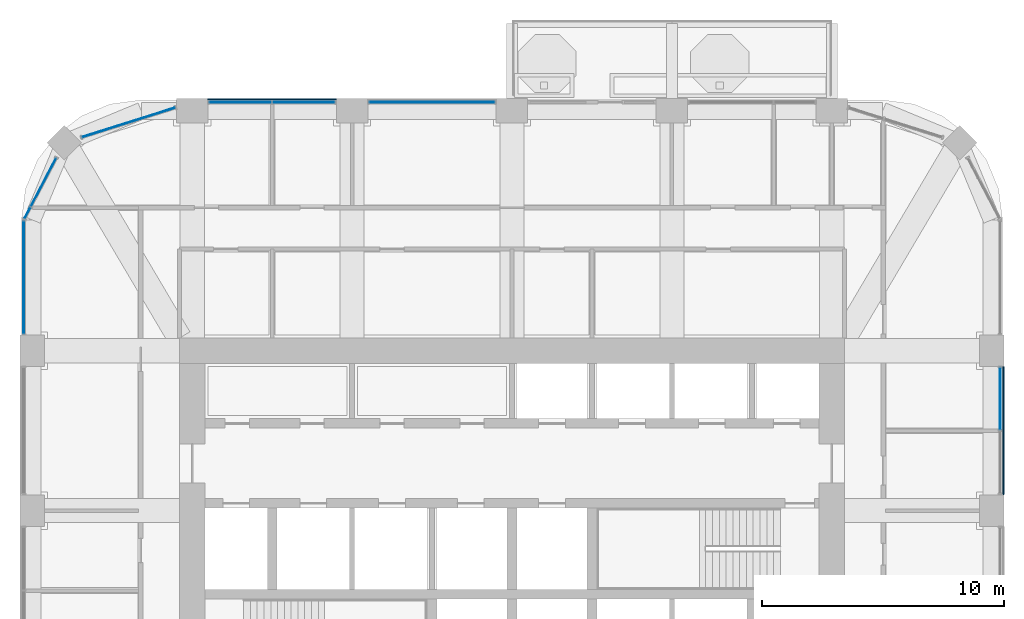
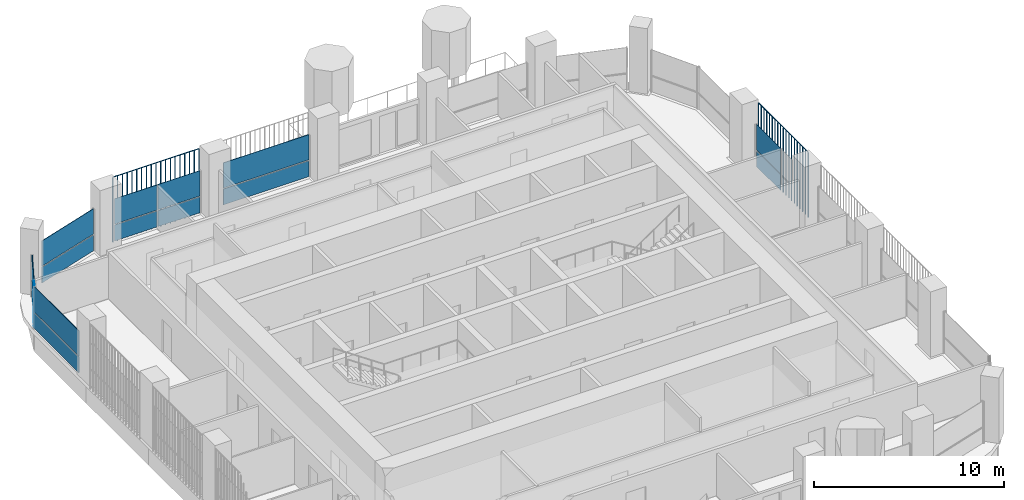
# One storey, part 12 of 21: 18 plates, 6 elements without a shape of their own.
"""IFC4 building model written with IfcOpenShell, lengths in metres."""

from ifc_helpers import new_model, si_unit, direction, frame, origin, origin_2d, place, context, subcontext, project, spatial, polyline, rectangle, outline, extrude, material, layer, layer_set, type_object, element, aggregate, save


model = new_model("IFC4")

# Units and contexts
model_context = context("Model", 3, precision=1e-05, world=origin(), true_north=direction((0.0, 1.0)))
body_context = subcontext(model_context, "Body", "Model", "MODEL_VIEW")
ifc_project = project(units=[si_unit("LENGTHUNIT", "METRE"), si_unit("AREAUNIT", "SQUARE_METRE"), si_unit("VOLUMEUNIT", "CUBIC_METRE"), si_unit("PLANEANGLEUNIT", "RADIAN"), si_unit("MASSUNIT", "GRAM", prefix="KILO")], contexts=[model_context])

# Site, building, storey
site_placement = place(None, origin())
site = spatial("IfcSite", under=ifc_project, at=site_placement, CompositionType="ELEMENT")
building_placement = place(site_placement, origin())
building = spatial("IfcBuilding", under=site, at=building_placement, Name="Cobogo Forest Laboratory Tower", CompositionType="ELEMENT")
storey_placement = place(building_placement, frame((0.0, 0.0, 250.199951171875)))
storey = spatial("IfcBuildingStorey", under=building, at=storey_placement, Name="L57", CompositionType="ELEMENT", Elevation=250.199951171875)

# Curtain wall, plates
ifc_material_1 = material(Name="Aluminium curtain wall", Category="aluminium")
curtain_wall_type = type_object("IfcCurtainWallType", Name="CW-2 unitised curtain wall, solar control glazing, laboratory floors zones C and D", PredefinedType="USERDEFINED", material=ifc_material_1)
curtain_wall_1_placement = place(storey_placement, origin())
curtain_wall_1 = element("IfcCurtainWall", 1, at=curtain_wall_1_placement, inside=storey, type_object=curtain_wall_type, Name="Curtain wall 10 L57", ObjectType="UNITISED CURTAIN WALL", PredefinedType="USERDEFINED")
ifc_material_2 = material(Name="Solar control insulated glass", Category="glass")
ifc_layer = layer(ifc_material_2, 0.031982421875)
ifc_layer_set = layer_set([ifc_layer], Name="GP-2 solar control glass unit 32")
plate_type_1 = type_object("IfcPlateType", Name="GP-2 solar control glass unit 32", PredefinedType="CURTAIN_PANEL", material=ifc_layer_set)
plate_1_placement = place(storey_placement, frame((46.550048828125, 31.010009765625, 0.0), z_axis=(0.0, 0.0, 1.0), x_axis=(0.0, 1.0, 0.0)))
plate_1 = element("IfcPlate", 2, at=plate_1_placement, type_object=plate_type_1, Name="CW-2 panel 2.1", PredefinedType="CURTAIN_PANEL", context=body_context, shape_type="SweptSolid", body=[
    extrude(rectangle(XDim=2.56005859375, YDim=0.031982421875, at=origin_2d()), origin(), (0.0, 0.0, 1.0), 1.02001953125),
])
plate_2_placement = place(storey_placement, frame((46.550048828125, 31.010009765625, 1.080078125), z_axis=(0.0, 0.0, 1.0), x_axis=(0.0, 1.0, 0.0)))
plate_2 = element("IfcPlate", 3, at=plate_2_placement, type_object=plate_type_1, Name="CW-2 panel 2.2", PredefinedType="CURTAIN_PANEL", context=body_context, shape_type="SweptSolid", body=[
    extrude(rectangle(XDim=2.56005859375, YDim=0.031982421875, at=origin_2d()), origin(), (0.0, 0.0, 1.0), 1.6201171875),
])
aggregate(curtain_wall_1, [plate_1, plate_2])

curtain_wall_2_placement = place(storey_placement, origin())
curtain_wall_2 = element("IfcCurtainWall", 4, at=curtain_wall_2_placement, inside=storey, type_object=curtain_wall_type, Name="Curtain wall 16 L57", ObjectType="UNITISED CURTAIN WALL", PredefinedType="USERDEFINED")
plate_3_placement = place(storey_placement, frame((23.10009765625, 43.25, 0.0), z_axis=(0.0, 0.0, 1.0), x_axis=(-1.0, 0.0, 0.0)))
plate_3 = element("IfcPlate", 5, at=plate_3_placement, type_object=plate_type_1, Name="CW-2 panel 1.1", PredefinedType="CURTAIN_PANEL", context=body_context, shape_type="SweptSolid", body=[
    extrude(rectangle(XDim=5.179931640625, YDim=0.031982421875, at=origin_2d()), origin(), (0.0, 0.0, 1.0), 1.02001953125),
])
plate_4_placement = place(storey_placement, frame((23.10009765625, 43.25, 1.080078125), z_axis=(0.0, 0.0, 1.0), x_axis=(-1.0, 0.0, 0.0)))
plate_4 = element("IfcPlate", 6, at=plate_4_placement, type_object=plate_type_1, Name="CW-2 panel 1.2", PredefinedType="CURTAIN_PANEL", context=body_context, shape_type="SweptSolid", body=[
    extrude(rectangle(XDim=5.179931640625, YDim=0.031982421875, at=origin_2d()), origin(), (0.0, 0.0, 1.0), 1.6201171875),
])
aggregate(curtain_wall_2, [plate_3, plate_4])

curtain_wall_3_placement = place(storey_placement, origin())
curtain_wall_3 = element("IfcCurtainWall", 7, at=curtain_wall_3_placement, inside=storey, type_object=curtain_wall_type, Name="Curtain wall 17 L57", ObjectType="UNITISED CURTAIN WALL", PredefinedType="USERDEFINED")
plate_5_placement = place(storey_placement, frame((17.81005859375, 43.25, 0.0), z_axis=(0.0, 0.0, 1.0), x_axis=(-1.0, 0.0, 0.0)))
plate_5 = element("IfcPlate", 8, at=plate_5_placement, type_object=plate_type_1, Name="CW-2 panel 1.1", PredefinedType="CURTAIN_PANEL", context=body_context, shape_type="SweptSolid", body=[
    extrude(rectangle(XDim=2.56005859375, YDim=0.031982421875, at=origin_2d()), origin(), (0.0, 0.0, 1.0), 1.02001953125),
])
plate_6_placement = place(storey_placement, frame((17.81005859375, 43.25, 1.080078125), z_axis=(0.0, 0.0, 1.0), x_axis=(-1.0, 0.0, 0.0)))
plate_6 = element("IfcPlate", 9, at=plate_6_placement, type_object=plate_type_1, Name="CW-2 panel 1.2", PredefinedType="CURTAIN_PANEL", context=body_context, shape_type="SweptSolid", body=[
    extrude(rectangle(XDim=2.56005859375, YDim=0.031982421875, at=origin_2d()), origin(), (0.0, 0.0, 1.0), 1.6201171875),
])
plate_7_placement = place(storey_placement, frame((15.18994140625, 43.25, 0.0), z_axis=(0.0, 0.0, 1.0), x_axis=(-1.0, 0.0, 0.0)))
plate_7 = element("IfcPlate", 10, at=plate_7_placement, type_object=plate_type_1, Name="CW-2 panel 2.1", PredefinedType="CURTAIN_PANEL", context=body_context, shape_type="SweptSolid", body=[
    extrude(rectangle(XDim=2.56005859375, YDim=0.031982421875, at=origin_2d()), origin(), (0.0, 0.0, 1.0), 1.02001953125),
])
plate_8_placement = place(storey_placement, frame((15.18994140625, 43.25, 1.080078125), z_axis=(0.0, 0.0, 1.0), x_axis=(-1.0, 0.0, 0.0)))
plate_8 = element("IfcPlate", 11, at=plate_8_placement, type_object=plate_type_1, Name="CW-2 panel 2.2", PredefinedType="CURTAIN_PANEL", context=body_context, shape_type="SweptSolid", body=[
    extrude(rectangle(XDim=2.56005859375, YDim=0.031982421875, at=origin_2d()), origin(), (0.0, 0.0, 1.0), 1.6201171875),
])
aggregate(curtain_wall_3, [plate_5, plate_6, plate_7, plate_8])

curtain_wall_4_placement = place(storey_placement, origin())
curtain_wall_4 = element("IfcCurtainWall", 12, at=curtain_wall_4_placement, inside=storey, type_object=curtain_wall_type, Name="Curtain wall 18 L57", ObjectType="UNITISED CURTAIN WALL", PredefinedType="USERDEFINED")
plate_9_placement = place(storey_placement, frame((10.572509765625, 42.420166015625, 0.0), z_axis=(0.0, 0.0, 1.0), x_axis=(-0.953581386052, -0.301135418334, 0.0)))
plate_9 = element("IfcPlate", 13, at=plate_9_placement, type_object=plate_type_1, Name="CW-2 panel 1.1", PredefinedType="CURTAIN_PANEL", context=body_context, shape_type="SweptSolid", body=[
    extrude(rectangle(XDim=4.02734375, YDim=0.031982421875, at=origin_2d()), origin(), (0.0, 0.0, 1.0), 1.02001953125),
])
plate_10_placement = place(storey_placement, frame((10.572509765625, 42.420166015625, 1.080078125), z_axis=(0.0, 0.0, 1.0), x_axis=(-0.953581386052, -0.301135418334, 0.0)))
plate_10 = element("IfcPlate", 14, at=plate_10_placement, type_object=plate_type_1, Name="CW-2 panel 1.2", PredefinedType="CURTAIN_PANEL", context=body_context, shape_type="SweptSolid", body=[
    extrude(rectangle(XDim=4.02734375, YDim=0.031982421875, at=origin_2d()), origin(), (0.0, 0.0, 1.0), 1.6201171875),
])
aggregate(curtain_wall_4, [plate_9, plate_10])

curtain_wall_5_placement = place(storey_placement, origin())
curtain_wall_5 = element("IfcCurtainWall", 15, at=curtain_wall_5_placement, inside=storey, type_object=curtain_wall_type, Name="Curtain wall 19 L57", ObjectType="UNITISED CURTAIN WALL", PredefinedType="USERDEFINED")
plate_11_placement = place(storey_placement, frame((7.064697265625, 39.9541015625, 0.0), z_axis=(0.0, 0.0, 1.0), x_axis=(-0.464283791352, -0.885686491422, 0.0)))
plate_11 = element("IfcPlate", 16, at=plate_11_placement, type_object=plate_type_1, Name="CW-2 panel 1.1", PredefinedType="CURTAIN_PANEL", context=body_context, shape_type="SweptSolid", body=[
    extrude(rectangle(XDim=2.236328125, YDim=0.031982421875, at=origin_2d()), origin(), (0.0, 0.0, 1.0), 1.02001953125),
])
plate_12_placement = place(storey_placement, frame((7.064697265625, 39.9541015625, 1.080078125), z_axis=(0.0, 0.0, 1.0), x_axis=(-0.464283791352, -0.885686491422, 0.0)))
plate_12 = element("IfcPlate", 17, at=plate_12_placement, type_object=plate_type_1, Name="CW-2 panel 1.2", PredefinedType="CURTAIN_PANEL", context=body_context, shape_type="SweptSolid", body=[
    extrude(rectangle(XDim=2.236328125, YDim=0.031982421875, at=origin_2d()), origin(), (0.0, 0.0, 1.0), 1.6201171875),
])
plate_13_placement = place(storey_placement, frame((6.397705078125, 38.681884765625, 0.0), z_axis=(0.0, 0.0, 1.0), x_axis=(-0.464283791352, -0.885686491422, 0.0)))
plate_13 = element("IfcPlate", 18, at=plate_13_placement, type_object=plate_type_1, Name="CW-2 panel 2.1", PredefinedType="CURTAIN_PANEL", context=body_context, shape_type="SweptSolid", body=[
    extrude(rectangle(XDim=0.516357421875, YDim=0.031982421875, at=origin_2d()), origin(), (0.0, 0.0, 1.0), 1.02001953125),
])
plate_14_placement = place(storey_placement, frame((6.397705078125, 38.681884765625, 1.080078125), z_axis=(0.0, 0.0, 1.0), x_axis=(-0.464283791352, -0.885686491422, 0.0)))
plate_14 = element("IfcPlate", 19, at=plate_14_placement, type_object=plate_type_1, Name="CW-2 panel 2.2", PredefinedType="CURTAIN_PANEL", context=body_context, shape_type="SweptSolid", body=[
    extrude(rectangle(XDim=0.516357421875, YDim=0.031982421875, at=origin_2d()), origin(), (0.0, 0.0, 1.0), 1.6201171875),
])
aggregate(curtain_wall_5, [plate_11, plate_12, plate_13, plate_14])

curtain_wall_6_placement = place(storey_placement, origin())
curtain_wall_6 = element("IfcCurtainWall", 20, at=curtain_wall_6_placement, inside=storey, type_object=curtain_wall_type, Name="Curtain wall 20 L57", ObjectType="UNITISED CURTAIN WALL", PredefinedType="USERDEFINED")
plate_15_placement = place(storey_placement, frame((6.25, 36.02490234375, 0.0), z_axis=(0.0, 0.0, 1.0), x_axis=(0.0, -1.0, 0.0)))
plate_15 = element("IfcPlate", 21, at=plate_15_placement, type_object=plate_type_1, Name="CW-2 panel 1.1", PredefinedType="CURTAIN_PANEL", context=body_context, shape_type="SweptSolid", body=[
    extrude(rectangle(XDim=4.6298828125, YDim=0.031982421875, at=origin_2d()), origin(), (0.0, 0.0, 1.0), 1.02001953125),
])
plate_16_placement = place(storey_placement, frame((6.25, 36.02490234375, 1.080078125), z_axis=(0.0, 0.0, 1.0), x_axis=(0.0, -1.0, 0.0)))
plate_16 = element("IfcPlate", 22, at=plate_16_placement, type_object=plate_type_1, Name="CW-2 panel 1.2", PredefinedType="CURTAIN_PANEL", context=body_context, shape_type="SweptSolid", body=[
    extrude(rectangle(XDim=4.6298828125, YDim=0.031982421875, at=origin_2d()), origin(), (0.0, 0.0, 1.0), 1.6201171875),
])
aggregate(curtain_wall_6, [plate_15, plate_16])

# Plates
ifc_material_3 = material(Name="Terracotta", Category="masonry")
plate_type_2 = type_object("IfcPlateType", Name="TB1 terracotta baguette screen", PredefinedType="USERDEFINED", material=ifc_material_3)
plate_17_placement = place(storey_placement, frame((46.677978515625, 27.081298828125, -0.14990234375)))
element("IfcPlate", 23, at=plate_17_placement, inside=storey, type_object=plate_type_2, Name="Baguette screen E3 L57", ObjectType="BAGUETTE SCREEN", PredefinedType="USERDEFINED", context=body_context, shape_type="SweptSolid", body=[
    extrude(outline(polyline([(0.02880859375, 0.011962890625), (0.011962890625, 0.02880859375), (-0.011962890625, 0.02880859375), (-0.02880859375, 0.011962890625), (-0.02880859375, -0.011962890625), (-0.011962890625, -0.02880859375), (0.011962890625, -0.02880859375), (0.02880859375, -0.011962890625), (0.02880859375, 0.011962890625)])), frame((0.0, 0.0, 4.168701171875), z_axis=(0.0, 1.0, 0.0), x_axis=(-1.0, 0.0, 0.0)), (0.0, 0.0, 1.0), 5.237548828125),
    extrude(outline(polyline([(0.02880859375, 0.011962890625), (0.011962890625, 0.02880859375), (-0.011962890625, 0.02880859375), (-0.02880859375, 0.011962890625), (-0.02880859375, -0.011962890625), (-0.011962890625, -0.02880859375), (0.011962890625, -0.02880859375), (0.02880859375, -0.011962890625), (0.02880859375, 0.011962890625)])), origin(), (0.0, 0.0, 1.0), 4.137451171875),
    extrude(outline(polyline([(0.02880859375, 0.011962890625), (0.011962890625, 0.02880859375), (-0.011962890625, 0.02880859375), (-0.02880859375, 0.011962890625), (-0.02880859375, -0.011962890625), (-0.011962890625, -0.02880859375), (0.011962890625, -0.02880859375), (0.02880859375, -0.011962890625), (0.02880859375, 0.011962890625)])), frame((0.0, 0.291015625, 0.0)), (0.0, 0.0, 1.0), 4.137451171875),
    extrude(outline(polyline([(0.02880859375, 0.011962890625), (0.011962890625, 0.02880859375), (-0.011962890625, 0.02880859375), (-0.02880859375, 0.011962890625), (-0.02880859375, -0.011962890625), (-0.011962890625, -0.02880859375), (0.011962890625, -0.02880859375), (0.02880859375, -0.011962890625), (0.02880859375, 0.011962890625)])), frame((0.0, 0.58203125, 0.0)), (0.0, 0.0, 1.0), 4.137451171875),
    extrude(outline(polyline([(0.02880859375, 0.011962890625), (0.011962890625, 0.02880859375), (-0.011962890625, 0.02880859375), (-0.02880859375, 0.011962890625), (-0.02880859375, -0.011962890625), (-0.011962890625, -0.02880859375), (0.011962890625, -0.02880859375), (0.02880859375, -0.011962890625), (0.02880859375, 0.011962890625)])), frame((0.0, 0.873046875, 0.0)), (0.0, 0.0, 1.0), 4.137451171875),
    extrude(outline(polyline([(0.02880859375, 0.011962890625), (0.011962890625, 0.02880859375), (-0.011962890625, 0.02880859375), (-0.02880859375, 0.011962890625), (-0.02880859375, -0.011962890625), (-0.011962890625, -0.02880859375), (0.011962890625, -0.02880859375), (0.02880859375, -0.011962890625), (0.02880859375, 0.011962890625)])), frame((0.0, 1.163818359375, 0.0)), (0.0, 0.0, 1.0), 4.137451171875),
    extrude(outline(polyline([(0.02880859375, 0.011962890625), (0.011962890625, 0.02880859375), (-0.011962890625, 0.02880859375), (-0.02880859375, 0.011962890625), (-0.02880859375, -0.011962890625), (-0.011962890625, -0.02880859375), (0.011962890625, -0.02880859375), (0.02880859375, -0.011962890625), (0.02880859375, 0.011962890625)])), frame((0.0, 1.454833984375, 0.0)), (0.0, 0.0, 1.0), 4.137451171875),
    extrude(outline(polyline([(0.02880859375, 0.011962890625), (0.011962890625, 0.02880859375), (-0.011962890625, 0.02880859375), (-0.02880859375, 0.011962890625), (-0.02880859375, -0.011962890625), (-0.011962890625, -0.02880859375), (0.011962890625, -0.02880859375), (0.02880859375, -0.011962890625), (0.02880859375, 0.011962890625)])), frame((0.0, 1.745849609375, 0.0)), (0.0, 0.0, 1.0), 4.137451171875),
    extrude(outline(polyline([(0.02880859375, 0.011962890625), (0.011962890625, 0.02880859375), (-0.011962890625, 0.02880859375), (-0.02880859375, 0.011962890625), (-0.02880859375, -0.011962890625), (-0.011962890625, -0.02880859375), (0.011962890625, -0.02880859375), (0.02880859375, -0.011962890625), (0.02880859375, 0.011962890625)])), frame((0.0, 2.036865234375, 0.0)), (0.0, 0.0, 1.0), 4.137451171875),
    extrude(outline(polyline([(0.02880859375, 0.011962890625), (0.011962890625, 0.02880859375), (-0.011962890625, 0.02880859375), (-0.02880859375, 0.011962890625), (-0.02880859375, -0.011962890625), (-0.011962890625, -0.02880859375), (0.011962890625, -0.02880859375), (0.02880859375, -0.011962890625), (0.02880859375, 0.011962890625)])), frame((0.0, 2.327880859375, 0.0)), (0.0, 0.0, 1.0), 4.137451171875),
    extrude(outline(polyline([(0.02880859375, 0.011962890625), (0.011962890625, 0.02880859375), (-0.011962890625, 0.02880859375), (-0.02880859375, 0.011962890625), (-0.02880859375, -0.011962890625), (-0.011962890625, -0.02880859375), (0.011962890625, -0.02880859375), (0.02880859375, -0.011962890625), (0.02880859375, 0.011962890625)])), frame((0.0, 2.61865234375, 0.0)), (0.0, 0.0, 1.0), 4.137451171875),
    extrude(outline(polyline([(0.02880859375, 0.011962890625), (0.011962890625, 0.02880859375), (-0.011962890625, 0.02880859375), (-0.02880859375, 0.011962890625), (-0.02880859375, -0.011962890625), (-0.011962890625, -0.02880859375), (0.011962890625, -0.02880859375), (0.02880859375, -0.011962890625), (0.02880859375, 0.011962890625)])), frame((0.0, 2.90966796875, 0.0)), (0.0, 0.0, 1.0), 4.137451171875),
    extrude(outline(polyline([(0.02880859375, 0.011962890625), (0.011962890625, 0.02880859375), (-0.011962890625, 0.02880859375), (-0.02880859375, 0.011962890625), (-0.02880859375, -0.011962890625), (-0.011962890625, -0.02880859375), (0.011962890625, -0.02880859375), (0.02880859375, -0.011962890625), (0.02880859375, 0.011962890625)])), frame((0.0, 3.20068359375, 0.0)), (0.0, 0.0, 1.0), 4.137451171875),
    extrude(outline(polyline([(0.02880859375, 0.011962890625), (0.011962890625, 0.02880859375), (-0.011962890625, 0.02880859375), (-0.02880859375, 0.011962890625), (-0.02880859375, -0.011962890625), (-0.011962890625, -0.02880859375), (0.011962890625, -0.02880859375), (0.02880859375, -0.011962890625), (0.02880859375, 0.011962890625)])), frame((0.0, 3.49169921875, 0.0)), (0.0, 0.0, 1.0), 4.137451171875),
    extrude(outline(polyline([(0.02880859375, 0.011962890625), (0.011962890625, 0.02880859375), (-0.011962890625, 0.02880859375), (-0.02880859375, 0.011962890625), (-0.02880859375, -0.011962890625), (-0.011962890625, -0.02880859375), (0.011962890625, -0.02880859375), (0.02880859375, -0.011962890625), (0.02880859375, 0.011962890625)])), frame((0.0, 3.78271484375, 0.0)), (0.0, 0.0, 1.0), 4.137451171875),
    extrude(outline(polyline([(0.02880859375, 0.011962890625), (0.011962890625, 0.02880859375), (-0.011962890625, 0.02880859375), (-0.02880859375, 0.011962890625), (-0.02880859375, -0.011962890625), (-0.011962890625, -0.02880859375), (0.011962890625, -0.02880859375), (0.02880859375, -0.011962890625), (0.02880859375, 0.011962890625)])), frame((0.0, 4.07373046875, 0.0)), (0.0, 0.0, 1.0), 4.137451171875),
    extrude(outline(polyline([(0.02880859375, 0.011962890625), (0.011962890625, 0.02880859375), (-0.011962890625, 0.02880859375), (-0.02880859375, 0.011962890625), (-0.02880859375, -0.011962890625), (-0.011962890625, -0.02880859375), (0.011962890625, -0.02880859375), (0.02880859375, -0.011962890625), (0.02880859375, 0.011962890625)])), frame((0.0, 4.36474609375, 0.0)), (0.0, 0.0, 1.0), 4.137451171875),
    extrude(outline(polyline([(0.02880859375, 0.011962890625), (0.011962890625, 0.02880859375), (-0.011962890625, 0.02880859375), (-0.02880859375, 0.011962890625), (-0.02880859375, -0.011962890625), (-0.011962890625, -0.02880859375), (0.011962890625, -0.02880859375), (0.02880859375, -0.011962890625), (0.02880859375, 0.011962890625)])), frame((0.0, 4.655517578125, 0.0)), (0.0, 0.0, 1.0), 4.137451171875),
    extrude(outline(polyline([(0.02880859375, 0.011962890625), (0.011962890625, 0.02880859375), (-0.011962890625, 0.02880859375), (-0.02880859375, 0.011962890625), (-0.02880859375, -0.011962890625), (-0.011962890625, -0.02880859375), (0.011962890625, -0.02880859375), (0.02880859375, -0.011962890625), (0.02880859375, 0.011962890625)])), frame((0.0, 4.946533203125, 0.0)), (0.0, 0.0, 1.0), 4.137451171875),
    extrude(outline(polyline([(0.02880859375, 0.011962890625), (0.011962890625, 0.02880859375), (-0.011962890625, 0.02880859375), (-0.02880859375, 0.011962890625), (-0.02880859375, -0.011962890625), (-0.011962890625, -0.02880859375), (0.011962890625, -0.02880859375), (0.02880859375, -0.011962890625), (0.02880859375, 0.011962890625)])), frame((0.0, 5.237548828125, 0.0)), (0.0, 0.0, 1.0), 4.137451171875),
])
plate_18_placement = place(storey_placement, frame((13.88134765625, 43.3779296875, -0.14990234375)))
element("IfcPlate", 24, at=plate_18_placement, inside=storey, type_object=plate_type_2, Name="Baguette screen N1 L57", ObjectType="BAGUETTE SCREEN", PredefinedType="USERDEFINED", context=body_context, shape_type="SweptSolid", body=[
    extrude(outline(polyline([(0.02880859375, 0.011962890625), (0.011962890625, 0.02880859375), (-0.011962890625, 0.02880859375), (-0.02880859375, 0.011962890625), (-0.02880859375, -0.011962890625), (-0.011962890625, -0.02880859375), (0.011962890625, -0.02880859375), (0.02880859375, -0.011962890625), (0.02880859375, 0.011962890625)])), frame((0.0, 0.0, 4.168701171875), z_axis=(1.0, 0.0, 0.0), x_axis=(0.0, 1.0, 0.0)), (0.0, 0.0, 1.0), 5.2373046875),
    extrude(outline(polyline([(0.02880859375, 0.011962890625), (0.011962890625, 0.02880859375), (-0.011962890625, 0.02880859375), (-0.02880859375, 0.011962890625), (-0.02880859375, -0.011962890625), (-0.011962890625, -0.02880859375), (0.011962890625, -0.02880859375), (0.02880859375, -0.011962890625), (0.02880859375, 0.011962890625)])), origin(), (0.0, 0.0, 1.0), 4.137451171875),
    extrude(outline(polyline([(0.02880859375, 0.011962890625), (0.011962890625, 0.02880859375), (-0.011962890625, 0.02880859375), (-0.02880859375, 0.011962890625), (-0.02880859375, -0.011962890625), (-0.011962890625, -0.02880859375), (0.011962890625, -0.02880859375), (0.02880859375, -0.011962890625), (0.02880859375, 0.011962890625)])), frame((0.291015625, 0.0, 0.0)), (0.0, 0.0, 1.0), 4.137451171875),
    extrude(outline(polyline([(0.02880859375, 0.011962890625), (0.011962890625, 0.02880859375), (-0.011962890625, 0.02880859375), (-0.02880859375, 0.011962890625), (-0.02880859375, -0.011962890625), (-0.011962890625, -0.02880859375), (0.011962890625, -0.02880859375), (0.02880859375, -0.011962890625), (0.02880859375, 0.011962890625)])), frame((0.58203125, 0.0, 0.0)), (0.0, 0.0, 1.0), 4.137451171875),
    extrude(outline(polyline([(0.02880859375, 0.011962890625), (0.011962890625, 0.02880859375), (-0.011962890625, 0.02880859375), (-0.02880859375, 0.011962890625), (-0.02880859375, -0.011962890625), (-0.011962890625, -0.02880859375), (0.011962890625, -0.02880859375), (0.02880859375, -0.011962890625), (0.02880859375, 0.011962890625)])), frame((0.872802734375, 0.0, 0.0)), (0.0, 0.0, 1.0), 4.137451171875),
    extrude(outline(polyline([(0.02880859375, 0.011962890625), (0.011962890625, 0.02880859375), (-0.011962890625, 0.02880859375), (-0.02880859375, 0.011962890625), (-0.02880859375, -0.011962890625), (-0.011962890625, -0.02880859375), (0.011962890625, -0.02880859375), (0.02880859375, -0.011962890625), (0.02880859375, 0.011962890625)])), frame((1.163818359375, 0.0, 0.0)), (0.0, 0.0, 1.0), 4.137451171875),
    extrude(outline(polyline([(0.02880859375, 0.011962890625), (0.011962890625, 0.02880859375), (-0.011962890625, 0.02880859375), (-0.02880859375, 0.011962890625), (-0.02880859375, -0.011962890625), (-0.011962890625, -0.02880859375), (0.011962890625, -0.02880859375), (0.02880859375, -0.011962890625), (0.02880859375, 0.011962890625)])), frame((1.454833984375, 0.0, 0.0)), (0.0, 0.0, 1.0), 4.137451171875),
    extrude(outline(polyline([(0.02880859375, 0.011962890625), (0.011962890625, 0.02880859375), (-0.011962890625, 0.02880859375), (-0.02880859375, 0.011962890625), (-0.02880859375, -0.011962890625), (-0.011962890625, -0.02880859375), (0.011962890625, -0.02880859375), (0.02880859375, -0.011962890625), (0.02880859375, 0.011962890625)])), frame((1.745849609375, 0.0, 0.0)), (0.0, 0.0, 1.0), 4.137451171875),
    extrude(outline(polyline([(0.02880859375, 0.011962890625), (0.011962890625, 0.02880859375), (-0.011962890625, 0.02880859375), (-0.02880859375, 0.011962890625), (-0.02880859375, -0.011962890625), (-0.011962890625, -0.02880859375), (0.011962890625, -0.02880859375), (0.02880859375, -0.011962890625), (0.02880859375, 0.011962890625)])), frame((2.03662109375, 0.0, 0.0)), (0.0, 0.0, 1.0), 4.137451171875),
    extrude(outline(polyline([(0.02880859375, 0.011962890625), (0.011962890625, 0.02880859375), (-0.011962890625, 0.02880859375), (-0.02880859375, 0.011962890625), (-0.02880859375, -0.011962890625), (-0.011962890625, -0.02880859375), (0.011962890625, -0.02880859375), (0.02880859375, -0.011962890625), (0.02880859375, 0.011962890625)])), frame((2.32763671875, 0.0, 0.0)), (0.0, 0.0, 1.0), 4.137451171875),
    extrude(outline(polyline([(0.02880859375, 0.011962890625), (0.011962890625, 0.02880859375), (-0.011962890625, 0.02880859375), (-0.02880859375, 0.011962890625), (-0.02880859375, -0.011962890625), (-0.011962890625, -0.02880859375), (0.011962890625, -0.02880859375), (0.02880859375, -0.011962890625), (0.02880859375, 0.011962890625)])), frame((2.61865234375, 0.0, 0.0)), (0.0, 0.0, 1.0), 4.137451171875),
    extrude(outline(polyline([(0.02880859375, 0.011962890625), (0.011962890625, 0.02880859375), (-0.011962890625, 0.02880859375), (-0.02880859375, 0.011962890625), (-0.02880859375, -0.011962890625), (-0.011962890625, -0.02880859375), (0.011962890625, -0.02880859375), (0.02880859375, -0.011962890625), (0.02880859375, 0.011962890625)])), frame((2.90966796875, 0.0, 0.0)), (0.0, 0.0, 1.0), 4.137451171875),
    extrude(outline(polyline([(0.02880859375, 0.011962890625), (0.011962890625, 0.02880859375), (-0.011962890625, 0.02880859375), (-0.02880859375, 0.011962890625), (-0.02880859375, -0.011962890625), (-0.011962890625, -0.02880859375), (0.011962890625, -0.02880859375), (0.02880859375, -0.011962890625), (0.02880859375, 0.011962890625)])), frame((3.20068359375, 0.0, 0.0)), (0.0, 0.0, 1.0), 4.137451171875),
    extrude(outline(polyline([(0.02880859375, 0.011962890625), (0.011962890625, 0.02880859375), (-0.011962890625, 0.02880859375), (-0.02880859375, 0.011962890625), (-0.02880859375, -0.011962890625), (-0.011962890625, -0.02880859375), (0.011962890625, -0.02880859375), (0.02880859375, -0.011962890625), (0.02880859375, 0.011962890625)])), frame((3.491455078125, 0.0, 0.0)), (0.0, 0.0, 1.0), 4.137451171875),
    extrude(outline(polyline([(0.02880859375, 0.011962890625), (0.011962890625, 0.02880859375), (-0.011962890625, 0.02880859375), (-0.02880859375, 0.011962890625), (-0.02880859375, -0.011962890625), (-0.011962890625, -0.02880859375), (0.011962890625, -0.02880859375), (0.02880859375, -0.011962890625), (0.02880859375, 0.011962890625)])), frame((3.782470703125, 0.0, 0.0)), (0.0, 0.0, 1.0), 4.137451171875),
    extrude(outline(polyline([(0.02880859375, 0.011962890625), (0.011962890625, 0.02880859375), (-0.011962890625, 0.02880859375), (-0.02880859375, 0.011962890625), (-0.02880859375, -0.011962890625), (-0.011962890625, -0.02880859375), (0.011962890625, -0.02880859375), (0.02880859375, -0.011962890625), (0.02880859375, 0.011962890625)])), frame((4.073486328125, 0.0, 0.0)), (0.0, 0.0, 1.0), 4.137451171875),
    extrude(outline(polyline([(0.02880859375, 0.011962890625), (0.011962890625, 0.02880859375), (-0.011962890625, 0.02880859375), (-0.02880859375, 0.011962890625), (-0.02880859375, -0.011962890625), (-0.011962890625, -0.02880859375), (0.011962890625, -0.02880859375), (0.02880859375, -0.011962890625), (0.02880859375, 0.011962890625)])), frame((4.364501953125, 0.0, 0.0)), (0.0, 0.0, 1.0), 4.137451171875),
    extrude(outline(polyline([(0.02880859375, 0.011962890625), (0.011962890625, 0.02880859375), (-0.011962890625, 0.02880859375), (-0.02880859375, 0.011962890625), (-0.02880859375, -0.011962890625), (-0.011962890625, -0.02880859375), (0.011962890625, -0.02880859375), (0.02880859375, -0.011962890625), (0.02880859375, 0.011962890625)])), frame((4.6552734375, 0.0, 0.0)), (0.0, 0.0, 1.0), 4.137451171875),
    extrude(outline(polyline([(0.02880859375, 0.011962890625), (0.011962890625, 0.02880859375), (-0.011962890625, 0.02880859375), (-0.02880859375, 0.011962890625), (-0.02880859375, -0.011962890625), (-0.011962890625, -0.02880859375), (0.011962890625, -0.02880859375), (0.02880859375, -0.011962890625), (0.02880859375, 0.011962890625)])), frame((4.9462890625, 0.0, 0.0)), (0.0, 0.0, 1.0), 4.137451171875),
    extrude(outline(polyline([(0.02880859375, 0.011962890625), (0.011962890625, 0.02880859375), (-0.011962890625, 0.02880859375), (-0.02880859375, 0.011962890625), (-0.02880859375, -0.011962890625), (-0.011962890625, -0.02880859375), (0.011962890625, -0.02880859375), (0.02880859375, -0.011962890625), (0.02880859375, 0.011962890625)])), frame((5.2373046875, 0.0, 0.0)), (0.0, 0.0, 1.0), 4.137451171875),
])

save(model, "model.ifc")
